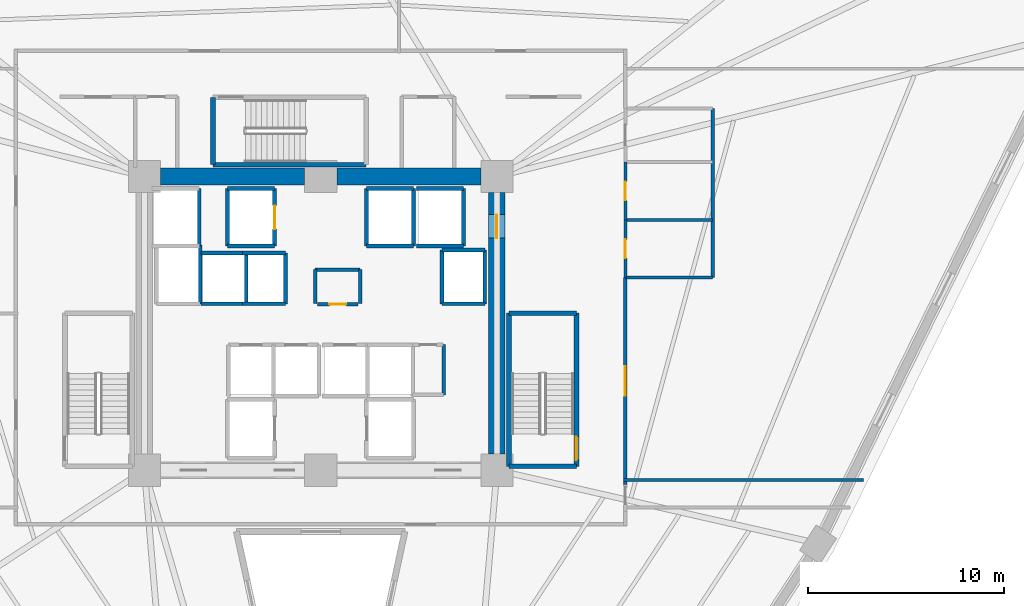
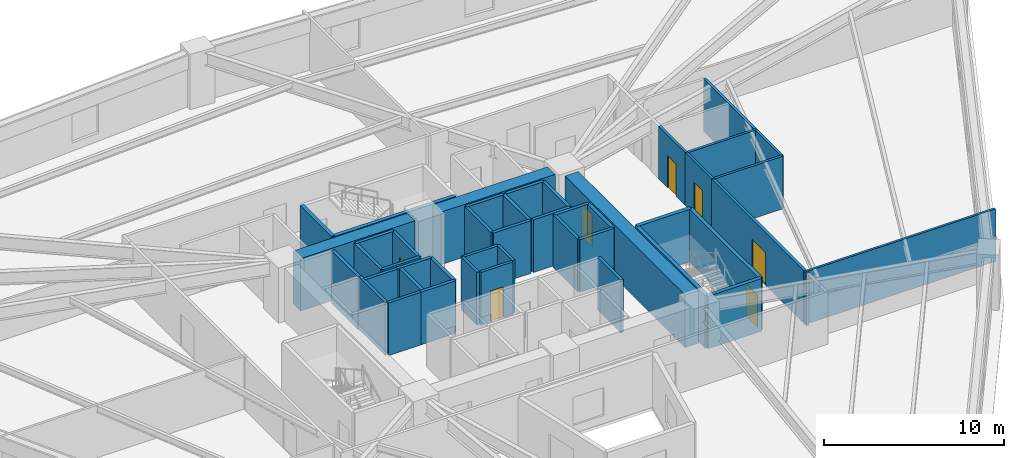
# One storey, part 5 of 8: 44 walls, 7 doors, 7 openings.
"""IFC4 building model written with IfcOpenShell, lengths in metres."""

import ifcopenshell
import ifcopenshell.guid

model = None  # the IFC model being written
_history = None  # IfcOwnerHistory: only IFC2X3 demands one
_inside = {}  # id of a spatial element -> (the spatial element, [elements in it])
_under = {}  # id of a project, library or spatial element -> (it, [spatial elements below it])
_declared = {}  # id of a project -> (the project, [libraries it declares])
_typed = {}  # id of a type object -> (the type object, [elements of that type])
_made_of = {}  # id of a material, layer set ... -> (it, [elements and type objects made of it])


def new_model(schema):
    """Start an empty IFC model of exactly this schema.

    Asked for "IFC4X3", IfcOpenShell would pick the latest addendum, in which some entities
    have other attributes; the version numbers below select the first issue.
    IFC2X3 requires an IfcOwnerHistory on every rooted entity: one is made here for all.
    """
    global model, _history
    if schema == "IFC4X3":
        model = ifcopenshell.file(schema_version=(4, 3, 0, 0))
    else:
        model = ifcopenshell.file(schema=schema)
    _inside.clear()
    _under.clear()
    _declared.clear()
    _typed.clear()
    _made_of.clear()
    _history = None
    if model.schema == "IFC2X3":
        org = make("IfcOrganization", Name="unknown")
        user = make(
            "IfcPersonAndOrganization",
            ThePerson=make("IfcPerson", FamilyName="unknown"),
            TheOrganization=org,
        )
        app = make(
            "IfcApplication",
            ApplicationDeveloper=org,
            Version="unknown",
            ApplicationFullName="unknown",
            ApplicationIdentifier="unknown",
        )
        _history = make(
            "IfcOwnerHistory",
            OwningUser=user,
            OwningApplication=app,
            ChangeAction="ADDED",
            CreationDate=0,
        )
    return model


def make(cls, **values):
    """One entity of the class cls with the attributes given. An attribute that is None is left unset."""
    return model.create_entity(
        cls, **{name: value for name, value in values.items() if value is not None}
    )


def rooted(cls, **values):
    """An entity with a GlobalId (a new one), such as an element, a storey or a relation."""
    return make(cls, GlobalId=ifcopenshell.guid.new(), OwnerHistory=_history, **values)


def si_unit(unit_type, name, prefix=None):
    """IfcSIUnit, for example si_unit("LENGTHUNIT", "METRE", prefix="MILLI")."""
    return make("IfcSIUnit", UnitType=unit_type, Prefix=prefix, Name=name)


def assignment(units):
    """IfcUnitAssignment: the units of a project."""
    return None if units is None else make("IfcUnitAssignment", Units=units)


def point(xyz):
    """IfcCartesianPoint."""
    return None if xyz is None else make("IfcCartesianPoint", Coordinates=xyz)


def direction(xyz):
    """IfcDirection."""
    return None if xyz is None else make("IfcDirection", DirectionRatios=xyz)


def frame(location, z_axis=None, x_axis=None):
    """IfcAxis2Placement3D, a coordinate frame: its origin and axes. An axis left out is left unset."""
    return make(
        "IfcAxis2Placement3D",
        Location=point(location),
        Axis=direction(z_axis),
        RefDirection=direction(x_axis),
    )


def frame_2d(location, x_axis=None):
    """IfcAxis2Placement2D, a coordinate frame in the plane: its origin and x axis."""
    return make(
        "IfcAxis2Placement2D", Location=point(location), RefDirection=direction(x_axis)
    )


def origin():
    """The frame at (0, 0, 0) with its axes left unset."""
    return frame((0.0, 0.0, 0.0))


def place(relative_to, where):
    """IfcLocalPlacement: puts the frame where relative to a parent placement (None: the world)."""
    return make(
        "IfcLocalPlacement", PlacementRelTo=relative_to, RelativePlacement=where
    )


def context(
    kind, dimensions, precision=None, world=None, true_north=None, identifier=None
):
    """IfcGeometricRepresentationContext, for example the 3D "Model" context."""
    return make(
        "IfcGeometricRepresentationContext",
        ContextIdentifier=identifier,
        ContextType=kind,
        CoordinateSpaceDimension=dimensions,
        Precision=precision,
        WorldCoordinateSystem=world,
        TrueNorth=true_north,
    )


def subcontext(parent, identifier, kind, view, scale=None):
    """IfcGeometricRepresentationSubContext, for example "Body" below "Model"."""
    return make(
        "IfcGeometricRepresentationSubContext",
        ContextIdentifier=identifier,
        ContextType=kind,
        ParentContext=parent,
        TargetScale=scale,
        TargetView=view,
    )


def project(units=None, contexts=None):
    """IfcProject with its units and contexts."""
    return rooted(
        "IfcProject",
        Name="project",
        RepresentationContexts=contexts,
        UnitsInContext=assignment(units),
    )


def spatial(cls, under=None, at=None, **own):
    """A site, building, storey or space (cls), placed at a placement, below another one or the project."""
    s = rooted(cls, ObjectPlacement=at, **own)
    if under is not None:
        _under.setdefault(under.id(), (under, []))[1].append(s)
    return s


def profile(cls, at=None, kind="AREA", **sizes):
    """A parametric profile (cls). Its sizes go by their IFC names, for example OverallWidth=200.0."""
    return make(cls, ProfileType=kind, Position=at, **sizes)


def rectangle(**sizes):
    """IfcRectangleProfileDef."""
    return profile("IfcRectangleProfileDef", **sizes)


def extrude(swept, where, along, depth):
    """IfcExtrudedAreaSolid: the profile swept, set in the frame where, extruded along a direction by depth."""
    return make(
        "IfcExtrudedAreaSolid",
        SweptArea=swept,
        Position=where,
        ExtrudedDirection=direction(along),
        Depth=depth,
    )


def shape(context_of_items, identifier, shape_type, items):
    """IfcShapeRepresentation: the items that make up one representation, for example the "Body"."""
    return make(
        "IfcShapeRepresentation",
        ContextOfItems=context_of_items,
        RepresentationIdentifier=identifier,
        RepresentationType=shape_type,
        Items=items,
    )


def source(mapping_origin, context_of_items, identifier, shape_type, items):
    """IfcRepresentationMap: a shape defined once, which mapped items show again and again."""
    return make(
        "IfcRepresentationMap",
        MappingOrigin=mapping_origin,
        MappedRepresentation=shape(context_of_items, identifier, shape_type, items),
    )


def transform(
    local_origin,
    x_axis=None,
    y_axis=None,
    z_axis=None,
    scale=None,
    scale2=None,
    scale3=None,
    uniform=True,
):
    """IfcCartesianTransformationOperator3D, or its non-uniform kind. x_axis, y_axis, z_axis: its Axis1, 2, 3."""
    if uniform:
        return make(
            "IfcCartesianTransformationOperator3D",
            Axis1=direction(x_axis),
            Axis2=direction(y_axis),
            LocalOrigin=point(local_origin),
            Scale=scale,
            Axis3=direction(z_axis),
        )
    return make(
        "IfcCartesianTransformationOperator3DnonUniform",
        Axis1=direction(x_axis),
        Axis2=direction(y_axis),
        LocalOrigin=point(local_origin),
        Scale=scale,
        Axis3=direction(z_axis),
        Scale2=scale2,
        Scale3=scale3,
    )


def mapped(mapping_source, mapping_target):
    """IfcMappedItem: shows the shape of a source again, moved by a transform."""
    return make(
        "IfcMappedItem", MappingSource=mapping_source, MappingTarget=mapping_target
    )


def material(Name=None, Category=None):
    """IfcMaterial."""
    return make("IfcMaterial", Name=Name, Category=Category)


def layer(
    of_material, thickness, ventilated=None, Name=None, Category=None, Priority=None
):
    """IfcMaterialLayer: one layer of a wall or slab, of a material (None: an air gap)."""
    return make(
        "IfcMaterialLayer",
        Material=of_material,
        LayerThickness=thickness,
        IsVentilated=ventilated,
        Name=Name,
        Category=Category,
        Priority=Priority,
    )


def layer_set(layers, Name=None):
    """IfcMaterialLayerSet."""
    return make("IfcMaterialLayerSet", MaterialLayers=layers, LayerSetName=Name)


def made_of(thing, what):
    """Note that an element or type object is made of a material, layer set ...; save() writes the relation."""
    if what is not None:
        _made_of.setdefault(what.id(), (what, []))[1].append(thing)
    return thing


def type_object(cls, material=None, **own):
    """A type object (cls), such as IfcWallType, which elements share."""
    return made_of(rooted(cls, **own), material)


def element(
    cls,
    number,
    at=None,
    inside=None,
    cuts=None,
    type_object=None,
    material=None,
    context=None,
    identifier="Body",
    shape_type=None,
    held_by="IfcProductDefinitionShape",
    body=None,
    shapes=None,
    **own,
):
    """One element of the class cls, such as IfcWall. Its Tag is "e" and its number.

    at: its placement. inside: the storey or other place that contains it. cuts: it is an
    opening in that element (IfcRelVoidsElement). A single representation is given by context,
    identifier, shape_type and body (its items); several are given by shapes. held_by: the class
    of the entity that holds the representations. save() writes the other relations.
    """
    e = rooted(cls, Tag="e%d" % number, ObjectPlacement=at, **own)
    if body is not None:
        shapes = [shape(context, identifier, shape_type, body)]
    if shapes is not None:
        e.Representation = make(held_by, Representations=shapes)
    if inside is not None:
        _inside.setdefault(inside.id(), (inside, []))[1].append(e)
    if cuts is not None:
        rooted(
            "IfcRelVoidsElement", RelatingBuildingElement=cuts, RelatedOpeningElement=e
        )
    if type_object is not None:
        _typed.setdefault(type_object.id(), (type_object, []))[1].append(e)
    return made_of(e, material)


def fill(opening, filler):
    """IfcRelFillsElement: the door or window that sits in an opening."""
    return rooted(
        "IfcRelFillsElement",
        RelatingOpeningElement=opening,
        RelatedBuildingElement=filler,
    )


def aggregate(whole, parts):
    """IfcRelAggregates: a whole, such as a stair, and the parts it consists of."""
    return rooted("IfcRelAggregates", RelatingObject=whole, RelatedObjects=parts)


def save(model, path):
    """Write the relations noted so far, then the file.

    IfcRelAggregates (storeys below a building ...), IfcRelContainedInSpatialStructure (elements
    in a storey), IfcRelDefinesByType, IfcRelAssociatesMaterial and IfcRelDeclares: one each for
    every whole, place, type object, material and project.
    """
    for whole, parts in _under.values():
        aggregate(whole, parts)
    for where, things in _inside.values():
        rooted(
            "IfcRelContainedInSpatialStructure",
            RelatedElements=things,
            RelatingStructure=where,
        )
    for kind, things in _typed.values():
        rooted("IfcRelDefinesByType", RelatedObjects=things, RelatingType=kind)
    for what, things in _made_of.values():
        rooted("IfcRelAssociatesMaterial", RelatedObjects=things, RelatingMaterial=what)
    for by, libraries in _declared.values():
        rooted("IfcRelDeclares", RelatingContext=by, RelatedDefinitions=libraries)
    model.write(path)


model = new_model("IFC4")

# Units and contexts
model_context = context("Model", 3, precision=1e-05, world=origin(), true_north=direction((0.0, 1.0)))
body_context = subcontext(model_context, "Body", "Model", "MODEL_VIEW")
ifc_project = project(units=[si_unit("LENGTHUNIT", "METRE"), si_unit("AREAUNIT", "SQUARE_METRE"), si_unit("VOLUMEUNIT", "CUBIC_METRE"), si_unit("PLANEANGLEUNIT", "RADIAN"), si_unit("MASSUNIT", "GRAM", prefix="KILO")], contexts=[model_context])

# Site, building, storey
site_placement = place(None, origin())
site = spatial("IfcSite", under=ifc_project, at=site_placement, CompositionType="ELEMENT")
building_placement = place(site_placement, origin())
building = spatial("IfcBuilding", under=site, at=building_placement, Name="Liaohun Quay Tower", CompositionType="ELEMENT")
storey_placement = place(building_placement, frame((0.0, 0.0, 70.5)))
storey = spatial("IfcBuildingStorey", under=building, at=storey_placement, Name="L18", CompositionType="ELEMENT", Elevation=70.5)

# Walls
ifc_material_1 = material(Name="Concrete C60", Category="concrete")
ifc_layer_1 = layer(ifc_material_1, 0.85009765625, Name="Concrete C60", Category="concrete")
ifc_layer_set_1 = layer_set([ifc_layer_1], Name="Concrete C60")
wall_type_1 = type_object("IfcWallType", Name="WAL-COR-Z1", PredefinedType="SHEAR", material=ifc_layer_set_1)
for number, where, z_axis, x_axis, name in (
    (1, (51.824951171875, 61.5, 0.0), (0.0, 0.0, 1.0), (1.0, 0.0, 0.0), "L18 Central Core Shear Wall N-W"),
    (2, (60.824951171875, 61.5, 0.0), (0.0, 0.0, 1.0), (1.0, 0.0, 0.0), "L18 Central Core Shear Wall N-E"),
):
    element("IfcWall", number, at=place(storey_placement, frame(where, z_axis=z_axis, x_axis=x_axis)), inside=storey, type_object=wall_type_1, Name=name, PredefinedType="SHEAR", context=body_context, shape_type="SweptSolid", body=[
        extrude(rectangle(XDim=7.35009765625, YDim=0.85009765625, at=frame_2d((3.675048828125, 0.0))), origin(), (0.0, 0.0, 1.0), 3.570068359375),
    ])

# Wall, opening, door
wall_1_placement = place(storey_placement, frame((69.0, 60.675048828125, 0.0), z_axis=(0.0, 0.0, 1.0), x_axis=(0.0, -1.0, 0.0)))
wall_1 = element("IfcWall", 3, at=wall_1_placement, inside=storey, type_object=wall_type_1, Name="L18 Central Core Shear Wall E", PredefinedType="SHEAR", context=body_context, shape_type="SweptSolid", body=[
    extrude(rectangle(XDim=13.35009765625, YDim=0.85009765625, at=frame_2d((6.675048828125, 0.0))), origin(), (0.0, 0.0, 1.0), 3.570068359375),
])
shared_shape_1 = source(origin(), body_context, "Body", "SweptSolid", [
    extrude(rectangle(XDim=1.199951171875, YDim=2.199951171875, at=frame_2d((0.60009765625, 1.10009765625))), frame((0.0, 0.43505859375, 0.0), z_axis=(0.0, -1.0, 0.0), x_axis=(1.0, 0.0, 0.0)), (0.0, 0.0, 1.0), 0.8701171875),
])
opening_1_placement = place(wall_1_placement, frame((1.125, 0.0, 0.0)))
opening_1 = element("IfcOpeningElement", 4, at=opening_1_placement, cuts=wall_1, Name="Opening SD1", PredefinedType="OPENING", context=body_context, shape_type="MappedRepresentation", body=[
    mapped(shared_shape_1, transform((0.0, 0.0, 0.0), x_axis=(1.0, 0.0, 0.0), y_axis=(0.0, 1.0, 0.0), z_axis=(0.0, 0.0, 1.0), scale=1.0)),
])
ifc_material_2 = material(Name="Galvanised steel fire door", Category="steel")
door_type_1 = type_object("IfcDoorType", Name="DOR-STR-1200", OperationType="NOTDEFINED", PredefinedType="DOOR", material=ifc_material_2)
shared_shape_2 = source(origin(), body_context, "Body", "SweptSolid", [
    extrude(rectangle(XDim=1.199951171875, YDim=2.199951171875, at=frame_2d((0.60009765625, 1.10009765625))), frame((0.0, 0.02490234375, 0.0), z_axis=(0.0, -1.0, 0.0), x_axis=(1.0, 0.0, 0.0)), (0.0, 0.0, 1.0), 0.050048828125),
])
door_1_placement = place(opening_1_placement, origin())
door_1 = element("IfcDoor", 5, at=door_1_placement, inside=storey, type_object=door_type_1, Name="L18 North-East Core Lobby Smokeproof Door", OperationType="SINGLE_SWING_LEFT", OverallHeight=2.199951171875, OverallWidth=1.199951171875, PredefinedType="DOOR", context=body_context, shape_type="MappedRepresentation", body=[
    mapped(shared_shape_2, transform((0.0, 0.0, 0.0), x_axis=(1.0, 0.0, 0.0), y_axis=(0.0, 1.0, 0.0), z_axis=(0.0, 0.0, 1.0), scale=1.0)),
])
fill(opening_1, door_1)

ifc_material_3 = material(Name="Autoclaved aerated concrete blockwork", Category="masonry")
ifc_layer_2 = layer(ifc_material_3, 0.179931640625, Name="Autoclaved aerated concrete blockwork", Category="masonry")
ifc_layer_set_2 = layer_set([ifc_layer_2], Name="Autoclaved aerated concrete blockwork")
wall_type_2 = type_object("IfcWallType", Name="WAL-PRT-COR", PredefinedType="PARTITIONING", material=ifc_layer_set_2)
wall_2_placement = place(storey_placement, frame((59.840087890625, 54.97998046875, 0.0), z_axis=(0.0, 0.0, 1.0), x_axis=(1.0, 0.0, 0.0)))
wall_2 = element("IfcWall", 6, at=wall_2_placement, inside=storey, type_object=wall_type_2, Name="L18 Interior Partition Wall 001", PredefinedType="PARTITIONING", context=body_context, shape_type="SweptSolid", body=[
    extrude(rectangle(XDim=2.059814453125, YDim=0.179931640625, at=frame_2d((1.02978515625, 0.0))), origin(), (0.0, 0.0, 1.0), 3.570068359375),
])
shared_shape_3 = source(origin(), body_context, "Body", "SweptSolid", [
    extrude(rectangle(XDim=0.85009765625, YDim=2.10009765625, at=frame_2d((0.425048828125, 1.050048828125))), frame((0.0, 0.099853515625, 0.0), z_axis=(0.0, -1.0, 0.0), x_axis=(1.0, 0.0, 0.0)), (0.0, 0.0, 1.0), 0.199951171875),
])
opening_2_placement = place(wall_2_placement, frame((0.60498046875, 0.0, 0.0)))
opening_2 = element("IfcOpeningElement", 7, at=opening_2_placement, cuts=wall_2, Name="Opening AD1", PredefinedType="OPENING", context=body_context, shape_type="MappedRepresentation", body=[
    mapped(shared_shape_3, transform((0.0, 0.0, 0.0), x_axis=(1.0, 0.0, 0.0), y_axis=(0.0, 1.0, 0.0), z_axis=(0.0, 0.0, 1.0), scale=1.0)),
])
ifc_material_4 = material(Name="Steel riser inspection fire door", Category="steel")
door_type_2 = type_object("IfcDoorType", Name="DOR-SHF-850", OperationType="NOTDEFINED", PredefinedType="DOOR", material=ifc_material_4)
shared_shape_4 = source(origin(), body_context, "Body", "SweptSolid", [
    extrude(rectangle(XDim=0.85009765625, YDim=2.10009765625, at=frame_2d((0.425048828125, 1.050048828125))), frame((0.0, 0.02490234375, 0.0), z_axis=(0.0, -1.0, 0.0), x_axis=(1.0, 0.0, 0.0)), (0.0, 0.0, 1.0), 0.050048828125),
])
door_2_placement = place(opening_2_placement, origin())
door_2 = element("IfcDoor", 8, at=door_2_placement, inside=storey, type_object=door_type_2, Name="L18 Electrical Meter Room Door", OperationType="SINGLE_SWING_LEFT", OverallHeight=2.10009765625, OverallWidth=0.85009765625, PredefinedType="DOOR", context=body_context, shape_type="MappedRepresentation", body=[
    mapped(shared_shape_4, transform((0.0, 0.0, 0.0), x_axis=(1.0, 0.0, 0.0), y_axis=(0.0, 1.0, 0.0), z_axis=(0.0, 0.0, 1.0), scale=1.0)),
])
fill(opening_2, door_2)

wall_3_placement = place(storey_placement, frame((75.56005859375, 56.340087890625, 0.0), z_axis=(0.0, 0.0, 1.0), x_axis=(0.0, -1.0, 0.0)))
wall_3 = element("IfcWall", 9, at=wall_3_placement, inside=storey, type_object=wall_type_2, Name="L18 Interior Partition Wall 010", PredefinedType="PARTITIONING", context=body_context, shape_type="SweptSolid", body=[
    extrude(rectangle(XDim=10.55517578125, YDim=0.179931640625, at=frame_2d((5.277587890625, 0.0))), origin(), (0.0, 0.0, 1.0), 3.570068359375),
])
shared_shape_5 = source(origin(), body_context, "Body", "SweptSolid", [
    extrude(rectangle(XDim=1.5, YDim=2.199951171875, at=frame_2d((0.75, 1.10009765625))), frame((0.0, 0.099853515625, 0.0), z_axis=(0.0, -1.0, 0.0), x_axis=(1.0, 0.0, 0.0)), (0.0, 0.0, 1.0), 0.199951171875),
])
opening_3_placement = place(wall_3_placement, frame((4.528076171875, 0.0, 0.0)))
opening_3 = element("IfcOpeningElement", 10, at=opening_3_placement, cuts=wall_3, Name="Opening OD2", PredefinedType="OPENING", context=body_context, shape_type="MappedRepresentation", body=[
    mapped(shared_shape_5, transform((0.0, 0.0, 0.0), x_axis=(1.0, 0.0, 0.0), y_axis=(0.0, 1.0, 0.0), z_axis=(0.0, 0.0, 1.0), scale=1.0)),
])
ifc_material_5 = material(Name="Acoustic oak veneer double door")
door_type_3 = type_object("IfcDoorType", Name="DOR-OFF-1500", OperationType="DOUBLE_DOOR_SINGLE_SWING", PredefinedType="DOOR", material=ifc_material_5)
shared_shape_6 = source(origin(), body_context, "Body", "SweptSolid", [
    extrude(rectangle(XDim=1.5, YDim=2.199951171875, at=frame_2d((0.75, 1.10009765625))), frame((0.0, 0.02490234375, 0.0), z_axis=(0.0, -1.0, 0.0), x_axis=(1.0, 0.0, 0.0)), (0.0, 0.0, 1.0), 0.050048828125),
])
door_3_placement = place(opening_3_placement, origin())
door_3 = element("IfcDoor", 11, at=door_3_placement, inside=storey, type_object=door_type_3, Name="L18 Architectural Design Studio 01 Door", OperationType="DOUBLE_DOOR_SINGLE_SWING", OverallHeight=2.199951171875, OverallWidth=1.5, PredefinedType="DOOR", context=body_context, shape_type="MappedRepresentation", body=[
    mapped(shared_shape_6, transform((0.0, 0.0, 0.0), x_axis=(1.0, 0.0, 0.0), y_axis=(0.0, 1.0, 0.0), z_axis=(0.0, 0.0, 1.0), scale=1.0)),
])
fill(opening_3, door_3)

# Walls
for number, where, z_axis, x_axis, name in (
    (12, (59.719970703125, 55.02001953125, 0.0), (0.0, 0.0, 1.0), (0.0, 1.0, 0.0), "L18 Interior Partition Wall 017"),
    (13, (62.010009765625, 55.02001953125, 0.0), (0.0, 0.0, 1.0), (0.0, 1.0, 0.0), "L18 Interior Partition Wall 018"),
):
    element("IfcWall", number, at=place(storey_placement, frame(where, z_axis=z_axis, x_axis=x_axis)), inside=storey, type_object=wall_type_2, Name=name, PredefinedType="PARTITIONING", context=body_context, shape_type="SweptSolid", body=[
        extrude(rectangle(XDim=1.72998046875, YDim=0.179931640625, at=frame_2d((0.864990234375, 0.0))), origin(), (0.0, 0.0, 1.0), 3.570068359375),
    ])
wall_4_placement = place(storey_placement, frame((59.719970703125, 56.75, 0.0), z_axis=(0.0, 0.0, 1.0), x_axis=(1.0, 0.0, 0.0)))
element("IfcWall", 14, at=wall_4_placement, inside=storey, type_object=wall_type_2, Name="L18 Interior Partition Wall 019", PredefinedType="PARTITIONING", context=body_context, shape_type="SweptSolid", body=[
    extrude(rectangle(XDim=2.2900390625, YDim=0.179931640625, at=frame_2d((1.14501953125, 0.0))), origin(), (0.0, 0.0, 1.0), 3.570068359375),
])
wall_5_placement = place(storey_placement, frame((66.280029296875, 50.35009765625, 0.0), z_axis=(0.0, 0.0, 1.0), x_axis=(0.0, 1.0, 0.0)))
element("IfcWall", 15, at=wall_5_placement, inside=storey, type_object=wall_type_2, Name="L18 Interior Partition Wall 021", PredefinedType="PARTITIONING", context=body_context, shape_type="SweptSolid", body=[
    extrude(rectangle(XDim=2.56982421875, YDim=0.179931640625, at=frame_2d((1.284912109375, 0.0))), origin(), (0.0, 0.0, 1.0), 3.570068359375),
])
ifc_material_6 = material(Name="Gypsum board on twin steel studs", Category="steel")
ifc_layer_3 = layer(ifc_material_6, 0.139892578125, Name="Gypsum board on twin steel studs", Category="steel")
ifc_layer_set_3 = layer_set([ifc_layer_3], Name="Gypsum board on twin steel studs")
wall_type_3 = type_object("IfcWallType", Name="WAL-PRT-OFF", PredefinedType="PARTITIONING", material=ifc_layer_set_3)
wall_6_placement = place(storey_placement, frame((75.4599609375, 46.0, 0.0), z_axis=(0.0, 0.0, 1.0), x_axis=(1.0, 0.0, 0.0)))
element("IfcWall", 16, at=wall_6_placement, inside=storey, type_object=wall_type_3, Name="L18 Interior Partition Wall 040", PredefinedType="PARTITIONING", context=body_context, shape_type="SweptSolid", body=[
    extrude(rectangle(XDim=12.255126953125, YDim=0.139892578125, at=frame_2d((6.12744140625, 0.0))), origin(), (0.0, 0.0, 1.0), 3.570068359375),
])

# Wall, opening, door
ifc_material_7 = material(Name="Moisture-resistant masonry blockwork", Category="masonry")
ifc_layer_4 = layer(ifc_material_7, 0.159912109375, Name="Moisture-resistant masonry blockwork", Category="masonry")
ifc_layer_set_4 = layer_set([ifc_layer_4], Name="Moisture-resistant masonry blockwork")
wall_type_4 = type_object("IfcWallType", Name="WAL-PRT-WET", PredefinedType="PARTITIONING", material=ifc_layer_set_4)
wall_7_placement = place(storey_placement, frame((75.56005859375, 56.340087890625, 0.0), z_axis=(0.0, 0.0, 1.0), x_axis=(0.0, 1.0, 0.0)))
wall_7 = element("IfcWall", 17, at=wall_7_placement, inside=storey, type_object=wall_type_4, Name="L18 Interior Partition Wall 003", PredefinedType="PARTITIONING", context=body_context, shape_type="SweptSolid", body=[
    extrude(rectangle(XDim=2.93994140625, YDim=0.159912109375, at=frame_2d((1.469970703125, 0.0))), origin(), (0.0, 0.0, 1.0), 3.570068359375),
])
shared_shape_7 = source(origin(), body_context, "Body", "SweptSolid", [
    extrude(rectangle(XDim=0.949951171875, YDim=2.14990234375, at=frame_2d((0.47509765625, 1.074951171875))), frame((0.0, 0.08984375, 0.0), z_axis=(0.0, -1.0, 0.0), x_axis=(1.0, 0.0, 0.0)), (0.0, 0.0, 1.0), 0.179931640625),
])
opening_4_placement = place(wall_7_placement, frame((0.9951171875, 0.0, 0.0)))
opening_4 = element("IfcOpeningElement", 18, at=opening_4_placement, cuts=wall_7, Name="Opening WD1", PredefinedType="OPENING", context=body_context, shape_type="MappedRepresentation", body=[
    mapped(shared_shape_7, transform((0.0, 0.0, 0.0), x_axis=(1.0, 0.0, 0.0), y_axis=(0.0, 1.0, 0.0), z_axis=(0.0, 0.0, 1.0), scale=1.0)),
])
ifc_material_8 = material(Name="Moisture-resistant laminate timber leaf", Category="wood")
door_type_4 = type_object("IfcDoorType", Name="DOR-WC-950", OperationType="NOTDEFINED", PredefinedType="DOOR", material=ifc_material_8)
shared_shape_8 = source(origin(), body_context, "Body", "SweptSolid", [
    extrude(rectangle(XDim=0.949951171875, YDim=2.14990234375, at=frame_2d((0.47509765625, 1.074951171875))), frame((0.0, 0.02490234375, 0.0), z_axis=(0.0, -1.0, 0.0), x_axis=(1.0, 0.0, 0.0)), (0.0, 0.0, 1.0), 0.050048828125),
])
door_4_placement = place(opening_4_placement, origin())
door_4 = element("IfcDoor", 19, at=door_4_placement, inside=storey, type_object=door_type_4, Name="L18 Male Restroom WC Door", OperationType="SINGLE_SWING_LEFT", OverallHeight=2.14990234375, OverallWidth=0.949951171875, PredefinedType="DOOR", context=body_context, shape_type="MappedRepresentation", body=[
    mapped(shared_shape_8, transform((0.0, 0.0, 0.0), x_axis=(1.0, 0.0, 0.0), y_axis=(0.0, 1.0, 0.0), z_axis=(0.0, 0.0, 1.0), scale=1.0)),
])
fill(opening_4, door_4)

wall_8_placement = place(storey_placement, frame((75.56005859375, 59.280029296875, 0.0), z_axis=(0.0, 0.0, 1.0), x_axis=(0.0, 1.0, 0.0)))
wall_8 = element("IfcWall", 20, at=wall_8_placement, inside=storey, type_object=wall_type_4, Name="L18 Interior Partition Wall 004", PredefinedType="PARTITIONING", context=body_context, shape_type="SweptSolid", body=[
    extrude(rectangle(XDim=2.9599609375, YDim=0.159912109375, at=frame_2d((1.47998046875, 0.0))), origin(), (0.0, 0.0, 1.0), 3.570068359375),
])
opening_5_placement = place(wall_8_placement, frame((1.0048828125, 0.0, 0.0)))
opening_5 = element("IfcOpeningElement", 21, at=opening_5_placement, cuts=wall_8, Name="Opening WD1", PredefinedType="OPENING", context=body_context, shape_type="MappedRepresentation", body=[
    mapped(shared_shape_7, transform((0.0, 0.0, 0.0), x_axis=(1.0, 0.0, 0.0), y_axis=(0.0, 1.0, 0.0), z_axis=(0.0, 0.0, 1.0), scale=1.0)),
])
door_5_placement = place(opening_5_placement, origin())
door_5 = element("IfcDoor", 22, at=door_5_placement, inside=storey, type_object=door_type_4, Name="L18 Female Restroom WC Door", OperationType="SINGLE_SWING_RIGHT", OverallHeight=2.14990234375, OverallWidth=0.949951171875, PredefinedType="DOOR", context=body_context, shape_type="MappedRepresentation", body=[
    mapped(shared_shape_8, transform((0.0, 0.0, 0.0), x_axis=(1.0, 0.0, 0.0), y_axis=(0.0, 1.0, 0.0), z_axis=(0.0, 0.0, 1.0), scale=1.0)),
])
fill(opening_5, door_5)

# Walls
wall_9_placement = place(storey_placement, frame((80.02001953125, 56.340087890625, 0.0), z_axis=(0.0, 0.0, 1.0), x_axis=(0.0, 1.0, 0.0)))
element("IfcWall", 23, at=wall_9_placement, inside=storey, type_object=wall_type_4, Name="L18 Interior Partition Wall 022", PredefinedType="PARTITIONING", context=body_context, shape_type="SweptSolid", body=[
    extrude(rectangle(XDim=8.639892578125, YDim=0.159912109375, at=frame_2d((4.31982421875, 0.0))), origin(), (0.0, 0.0, 1.0), 3.570068359375),
])
for number, where, z_axis, x_axis, name in (
    (24, (75.56005859375, 56.340087890625, 0.0), (0.0, 0.0, 1.0), (1.0, 0.0, 0.0), "L18 Interior Partition Wall 023"),
    (25, (75.56005859375, 59.280029296875, 0.0), (0.0, 0.0, 1.0), (1.0, 0.0, 0.0), "L18 Interior Partition Wall 024"),
):
    element("IfcWall", number, at=place(storey_placement, frame(where, z_axis=z_axis, x_axis=x_axis)), inside=storey, type_object=wall_type_4, Name=name, PredefinedType="PARTITIONING", context=body_context, shape_type="SweptSolid", body=[
        extrude(rectangle(XDim=4.4599609375, YDim=0.159912109375, at=frame_2d((2.22998046875, 0.0))), origin(), (0.0, 0.0, 1.0), 3.570068359375),
    ])
ifc_material_9 = material(Name="Concrete C50", Category="concrete")
ifc_layer_5 = layer(ifc_material_9, 0.239990234375, Name="Concrete C50", Category="concrete")
ifc_layer_set_5 = layer_set([ifc_layer_5], Name="Concrete C50")
wall_type_5 = type_object("IfcWallType", Name="WAL-SHF-200", PredefinedType="SOLIDWALL", material=ifc_layer_set_5)
wall_10_placement = place(storey_placement, frame((69.6201171875, 46.699951171875, 0.0), z_axis=(0.0, 0.0, 1.0), x_axis=(1.0, 0.0, 0.0)))
element("IfcWall", 26, at=wall_10_placement, inside=storey, type_object=wall_type_5, Name="L18 Stairwell ST-2 Structural Core Wall S", PredefinedType="SOLIDWALL", context=body_context, shape_type="SweptSolid", body=[
    extrude(rectangle(XDim=3.43994140625, YDim=0.239990234375, at=frame_2d((1.719970703125, 0.0))), origin(), (0.0, 0.0, 1.0), 3.570068359375),
])

# Wall, opening, door
wall_11_placement = place(storey_placement, frame((73.06005859375, 46.699951171875, 0.0), z_axis=(0.0, 0.0, 1.0), x_axis=(0.0, 1.0, 0.0)))
wall_11 = element("IfcWall", 27, at=wall_11_placement, inside=storey, type_object=wall_type_5, Name="L18 Stairwell ST-2 Structural Core Wall E", PredefinedType="SOLIDWALL", context=body_context, shape_type="SweptSolid", body=[
    extrude(rectangle(XDim=7.820068359375, YDim=0.239990234375, at=frame_2d((3.91015625, 0.0))), origin(), (0.0, 0.0, 1.0), 3.570068359375),
])
shared_shape_9 = source(origin(), body_context, "Body", "SweptSolid", [
    extrude(rectangle(XDim=1.199951171875, YDim=2.199951171875, at=frame_2d((0.60009765625, 1.10009765625))), frame((0.0, 0.1298828125, 0.0), z_axis=(0.0, -1.0, 0.0), x_axis=(1.0, 0.0, 0.0)), (0.0, 0.0, 1.0), 0.260009765625),
])
opening_6_placement = place(wall_11_placement, frame((0.320068359375, 0.0, 0.0)))
opening_6 = element("IfcOpeningElement", 28, at=opening_6_placement, cuts=wall_11, Name="Opening SD1", PredefinedType="OPENING", context=body_context, shape_type="MappedRepresentation", body=[
    mapped(shared_shape_9, transform((0.0, 0.0, 0.0), x_axis=(1.0, 0.0, 0.0), y_axis=(0.0, 1.0, 0.0), z_axis=(0.0, 0.0, 1.0), scale=1.0)),
])
door_6_placement = place(opening_6_placement, origin())
door_6 = element("IfcDoor", 29, at=door_6_placement, inside=storey, type_object=door_type_1, Name="L18 Protected Stair ST-2 Fire Door", OperationType="SINGLE_SWING_RIGHT", OverallHeight=2.199951171875, OverallWidth=1.199951171875, PredefinedType="DOOR", context=body_context, shape_type="MappedRepresentation", body=[
    mapped(shared_shape_2, transform((0.0, 0.0, 0.0), x_axis=(1.0, 0.0, 0.0), y_axis=(0.0, 1.0, 0.0), z_axis=(0.0, 0.0, 1.0), scale=1.0)),
])
fill(opening_6, door_6)

# Walls
wall_12_placement = place(storey_placement, frame((73.06005859375, 54.52001953125, 0.0), z_axis=(0.0, 0.0, 1.0), x_axis=(-1.0, 0.0, 0.0)))
element("IfcWall", 30, at=wall_12_placement, inside=storey, type_object=wall_type_5, Name="L18 Stairwell ST-2 Structural Core Wall N", PredefinedType="SOLIDWALL", context=body_context, shape_type="SweptSolid", body=[
    extrude(rectangle(XDim=3.43994140625, YDim=0.239990234375, at=frame_2d((1.719970703125, 0.0))), origin(), (0.0, 0.0, 1.0), 3.570068359375),
])
for number, where, z_axis, x_axis, name in (
    (31, (69.6201171875, 54.52001953125, 0.0), (0.0, 0.0, 1.0), (0.0, -1.0, 0.0), "L18 Stairwell ST-2 Structural Core Wall W"),
    (32, (54.5, 62.10009765625, 0.0), (0.0, 0.0, 1.0), (1.0, 0.0, 0.0), "L18 Stairwell ST-3 Structural Core Wall S"),
):
    element("IfcWall", number, at=place(storey_placement, frame(where, z_axis=z_axis, x_axis=x_axis)), inside=storey, type_object=wall_type_5, Name=name, PredefinedType="SOLIDWALL", context=body_context, shape_type="SweptSolid", body=[
        extrude(rectangle(XDim=7.820068359375, YDim=0.239990234375, at=frame_2d((3.91015625, 0.0))), origin(), (0.0, 0.0, 1.0), 3.570068359375),
    ])
wall_13_placement = place(storey_placement, frame((54.5, 65.5400390625, 0.0), z_axis=(0.0, 0.0, 1.0), x_axis=(0.0, -1.0, 0.0)))
element("IfcWall", 33, at=wall_13_placement, inside=storey, type_object=wall_type_5, Name="L18 Stairwell ST-3 Structural Core Wall W", PredefinedType="SOLIDWALL", context=body_context, shape_type="SweptSolid", body=[
    extrude(rectangle(XDim=3.43994140625, YDim=0.239990234375, at=frame_2d((1.719970703125, 0.0))), origin(), (0.0, 0.0, 1.0), 3.570068359375),
])
wall_14_placement = place(storey_placement, frame((55.25, 57.949951171875, 0.0), z_axis=(0.0, 0.0, 1.0), x_axis=(1.0, 0.0, 0.0)))
element("IfcWall", 34, at=wall_14_placement, inside=storey, type_object=wall_type_5, Name="L18 Lift FF-03 Hoistway Wall S", PredefinedType="SOLIDWALL", context=body_context, shape_type="SweptSolid", body=[
    extrude(rectangle(XDim=2.39990234375, YDim=0.199951171875, at=frame_2d((1.199951171875, 0.0))), origin(), (0.0, 0.0, 1.0), 3.570068359375),
])

# Wall, opening, door
wall_15_placement = place(storey_placement, frame((57.64990234375, 57.949951171875, 0.0), z_axis=(0.0, 0.0, 1.0), x_axis=(0.0, 1.0, 0.0)))
wall_15 = element("IfcWall", 35, at=wall_15_placement, inside=storey, type_object=wall_type_5, Name="L18 Lift FF-03 Hoistway Wall E", PredefinedType="SOLIDWALL", context=body_context, shape_type="SweptSolid", body=[
    extrude(rectangle(XDim=2.929931640625, YDim=0.199951171875, at=frame_2d((1.46484375, 0.0))), origin(), (0.0, 0.0, 1.0), 3.570068359375),
])
shared_shape_10 = source(origin(), body_context, "Body", "SweptSolid", [
    extrude(rectangle(XDim=1.199951171875, YDim=2.300048828125, at=frame_2d((0.60009765625, 1.14990234375))), frame((0.0, 0.10986328125, 0.0), z_axis=(0.0, -1.0, 0.0), x_axis=(1.0, 0.0, 0.0)), (0.0, 0.0, 1.0), 0.219970703125),
])
opening_7_placement = place(wall_15_placement, frame((0.864990234375, 0.0, 0.0)))
opening_7 = element("IfcOpeningElement", 36, at=opening_7_placement, cuts=wall_15, Name="Opening LD2", PredefinedType="OPENING", context=body_context, shape_type="MappedRepresentation", body=[
    mapped(shared_shape_10, transform((0.0, 0.0, 0.0), x_axis=(1.0, 0.0, 0.0), y_axis=(0.0, 1.0, 0.0), z_axis=(0.0, 0.0, 1.0), scale=1.0)),
])
ifc_material_10 = material(Name="Brushed stainless steel stretcher landing door", Category="steel")
door_type_5 = type_object("IfcDoorType", Name="DOR-LFT-1200", OperationType="SLIDING_TO_LEFT", PredefinedType="DOOR", material=ifc_material_10)
shared_shape_11 = source(origin(), body_context, "Body", "SweptSolid", [
    extrude(rectangle(XDim=1.199951171875, YDim=2.300048828125, at=frame_2d((0.60009765625, 1.14990234375))), frame((0.0, 0.02490234375, 0.0), z_axis=(0.0, -1.0, 0.0), x_axis=(1.0, 0.0, 0.0)), (0.0, 0.0, 1.0), 0.050048828125),
])
door_7_placement = place(opening_7_placement, origin())
door_7 = element("IfcDoor", 37, at=door_7_placement, inside=storey, type_object=door_type_5, Name="L18 Lift FF-03 Sliding Landing Door", OperationType="SLIDING_TO_LEFT", OverallHeight=2.300048828125, OverallWidth=1.199951171875, PredefinedType="DOOR", context=body_context, shape_type="MappedRepresentation", body=[
    mapped(shared_shape_11, transform((0.0, 0.0, 0.0), x_axis=(1.0, 0.0, 0.0), y_axis=(0.0, 1.0, 0.0), z_axis=(0.0, 0.0, 1.0), scale=1.0)),
])
fill(opening_7, door_7)

# Walls
wall_16_placement = place(storey_placement, frame((57.64990234375, 60.8798828125, 0.0), z_axis=(0.0, 0.0, 1.0), x_axis=(-1.0, 0.0, 0.0)))
element("IfcWall", 38, at=wall_16_placement, inside=storey, type_object=wall_type_5, Name="L18 Lift FF-03 Hoistway Wall N", PredefinedType="SOLIDWALL", context=body_context, shape_type="SweptSolid", body=[
    extrude(rectangle(XDim=2.39990234375, YDim=0.199951171875, at=frame_2d((1.199951171875, 0.0))), origin(), (0.0, 0.0, 1.0), 3.570068359375),
])
wall_17_placement = place(storey_placement, frame((55.25, 60.8798828125, 0.0), z_axis=(0.0, 0.0, 1.0), x_axis=(0.0, -1.0, 0.0)))
element("IfcWall", 39, at=wall_17_placement, inside=storey, type_object=wall_type_5, Name="L18 Lift FF-03 Hoistway Wall W", PredefinedType="SOLIDWALL", context=body_context, shape_type="SweptSolid", body=[
    extrude(rectangle(XDim=2.929931640625, YDim=0.199951171875, at=frame_2d((1.46484375, 0.0))), origin(), (0.0, 0.0, 1.0), 3.570068359375),
])
wall_18_placement = place(storey_placement, frame((62.35009765625, 57.949951171875, 0.0), z_axis=(0.0, 0.0, 1.0), x_axis=(1.0, 0.0, 0.0)))
element("IfcWall", 40, at=wall_18_placement, inside=storey, type_object=wall_type_5, Name="L18 Lift OB-01 Hoistway Wall S", PredefinedType="SOLIDWALL", context=body_context, shape_type="SweptSolid", body=[
    extrude(rectangle(XDim=2.39990234375, YDim=0.199951171875, at=frame_2d((1.199951171875, 0.0))), origin(), (0.0, 0.0, 1.0), 3.570068359375),
])
wall_19_placement = place(storey_placement, frame((64.75, 57.949951171875, 0.0), z_axis=(0.0, 0.0, 1.0), x_axis=(0.0, 1.0, 0.0)))
element("IfcWall", 41, at=wall_19_placement, inside=storey, type_object=wall_type_5, Name="L18 Lift OB-01 Hoistway Wall E", PredefinedType="SOLIDWALL", context=body_context, shape_type="SweptSolid", body=[
    extrude(rectangle(XDim=2.929931640625, YDim=0.199951171875, at=frame_2d((1.46484375, 0.0))), origin(), (0.0, 0.0, 1.0), 3.570068359375),
])
wall_20_placement = place(storey_placement, frame((64.75, 60.8798828125, 0.0), z_axis=(0.0, 0.0, 1.0), x_axis=(-1.0, 0.0, 0.0)))
element("IfcWall", 42, at=wall_20_placement, inside=storey, type_object=wall_type_5, Name="L18 Lift OB-01 Hoistway Wall N", PredefinedType="SOLIDWALL", context=body_context, shape_type="SweptSolid", body=[
    extrude(rectangle(XDim=2.39990234375, YDim=0.199951171875, at=frame_2d((1.199951171875, 0.0))), origin(), (0.0, 0.0, 1.0), 3.570068359375),
])
wall_21_placement = place(storey_placement, frame((62.35009765625, 60.8798828125, 0.0), z_axis=(0.0, 0.0, 1.0), x_axis=(0.0, -1.0, 0.0)))
element("IfcWall", 43, at=wall_21_placement, inside=storey, type_object=wall_type_5, Name="L18 Lift OB-01 Hoistway Wall W", PredefinedType="SOLIDWALL", context=body_context, shape_type="SweptSolid", body=[
    extrude(rectangle(XDim=2.929931640625, YDim=0.199951171875, at=frame_2d((1.46484375, 0.0))), origin(), (0.0, 0.0, 1.0), 3.570068359375),
])
wall_22_placement = place(storey_placement, frame((64.89990234375, 57.949951171875, 0.0), z_axis=(0.0, 0.0, 1.0), x_axis=(1.0, 0.0, 0.0)))
element("IfcWall", 44, at=wall_22_placement, inside=storey, type_object=wall_type_5, Name="L18 Lift OB-02 Hoistway Wall S", PredefinedType="SOLIDWALL", context=body_context, shape_type="SweptSolid", body=[
    extrude(rectangle(XDim=2.400146484375, YDim=0.199951171875, at=frame_2d((1.2001953125, 0.0))), origin(), (0.0, 0.0, 1.0), 3.570068359375),
])
wall_23_placement = place(storey_placement, frame((67.300048828125, 57.949951171875, 0.0), z_axis=(0.0, 0.0, 1.0), x_axis=(0.0, 1.0, 0.0)))
element("IfcWall", 45, at=wall_23_placement, inside=storey, type_object=wall_type_5, Name="L18 Lift OB-02 Hoistway Wall E", PredefinedType="SOLIDWALL", context=body_context, shape_type="SweptSolid", body=[
    extrude(rectangle(XDim=2.929931640625, YDim=0.199951171875, at=frame_2d((1.46484375, 0.0))), origin(), (0.0, 0.0, 1.0), 3.570068359375),
])
wall_24_placement = place(storey_placement, frame((67.300048828125, 60.8798828125, 0.0), z_axis=(0.0, 0.0, 1.0), x_axis=(-1.0, 0.0, 0.0)))
element("IfcWall", 46, at=wall_24_placement, inside=storey, type_object=wall_type_5, Name="L18 Lift OB-02 Hoistway Wall N", PredefinedType="SOLIDWALL", context=body_context, shape_type="SweptSolid", body=[
    extrude(rectangle(XDim=2.400146484375, YDim=0.199951171875, at=frame_2d((1.2001953125, 0.0))), origin(), (0.0, 0.0, 1.0), 3.570068359375),
])
wall_25_placement = place(storey_placement, frame((53.800048828125, 57.949951171875, 0.0), z_axis=(0.0, 0.0, 1.0), x_axis=(0.0, 1.0, 0.0)))
element("IfcWall", 47, at=wall_25_placement, inside=storey, type_object=wall_type_5, Name="L18 Lift SH-01 Hoistway Wall E", PredefinedType="SOLIDWALL", context=body_context, shape_type="SweptSolid", body=[
    extrude(rectangle(XDim=2.929931640625, YDim=0.199951171875, at=frame_2d((1.46484375, 0.0))), origin(), (0.0, 0.0, 1.0), 3.570068359375),
])
wall_26_placement = place(storey_placement, frame((53.85009765625, 55.0, 0.0), z_axis=(0.0, 0.0, 1.0), x_axis=(0.0, 1.0, 0.0)))
element("IfcWall", 48, at=wall_26_placement, inside=storey, type_object=wall_type_5, Name="L18 Lift SH-02 Hoistway Wall E", PredefinedType="SOLIDWALL", context=body_context, shape_type="SweptSolid", body=[
    extrude(rectangle(XDim=3.0, YDim=0.199951171875, at=frame_2d((1.5, 0.0))), origin(), (0.0, 0.0, 1.0), 3.570068359375),
])
wall_27_placement = place(storey_placement, frame((66.199951171875, 55.0, 0.0), z_axis=(0.0, 0.0, 1.0), x_axis=(1.0, 0.0, 0.0)))
element("IfcWall", 49, at=wall_27_placement, inside=storey, type_object=wall_type_5, Name="L18 Lift SH-03 Hoistway Wall S", PredefinedType="SOLIDWALL", context=body_context, shape_type="SweptSolid", body=[
    extrude(rectangle(XDim=2.179931640625, YDim=0.199951171875, at=frame_2d((1.08984375, 0.0))), origin(), (0.0, 0.0, 1.0), 3.570068359375),
])
wall_28_placement = place(storey_placement, frame((68.3798828125, 55.0, 0.0), z_axis=(0.0, 0.0, 1.0), x_axis=(0.0, 1.0, 0.0)))
element("IfcWall", 50, at=wall_28_placement, inside=storey, type_object=wall_type_5, Name="L18 Lift SH-03 Hoistway Wall E", PredefinedType="SOLIDWALL", context=body_context, shape_type="SweptSolid", body=[
    extrude(rectangle(XDim=2.75, YDim=0.199951171875, at=frame_2d((1.375, 0.0))), origin(), (0.0, 0.0, 1.0), 3.570068359375),
])
wall_29_placement = place(storey_placement, frame((68.3798828125, 57.75, 0.0), z_axis=(0.0, 0.0, 1.0), x_axis=(-1.0, 0.0, 0.0)))
element("IfcWall", 51, at=wall_29_placement, inside=storey, type_object=wall_type_5, Name="L18 Lift SH-03 Hoistway Wall N", PredefinedType="SOLIDWALL", context=body_context, shape_type="SweptSolid", body=[
    extrude(rectangle(XDim=2.179931640625, YDim=0.199951171875, at=frame_2d((1.08984375, 0.0))), origin(), (0.0, 0.0, 1.0), 3.570068359375),
])
wall_30_placement = place(storey_placement, frame((66.199951171875, 57.75, 0.0), z_axis=(0.0, 0.0, 1.0), x_axis=(0.0, -1.0, 0.0)))
element("IfcWall", 52, at=wall_30_placement, inside=storey, type_object=wall_type_5, Name="L18 Lift SH-03 Hoistway Wall W", PredefinedType="SOLIDWALL", context=body_context, shape_type="SweptSolid", body=[
    extrude(rectangle(XDim=2.75, YDim=0.199951171875, at=frame_2d((1.375, 0.0))), origin(), (0.0, 0.0, 1.0), 3.570068359375),
])
wall_31_placement = place(storey_placement, frame((53.89990234375, 55.0, 0.0), z_axis=(0.0, 0.0, 1.0), x_axis=(1.0, 0.0, 0.0)))
element("IfcWall", 53, at=wall_31_placement, inside=storey, type_object=wall_type_5, Name="L18 Lift PL-2B Hoistway Wall S", PredefinedType="SOLIDWALL", context=body_context, shape_type="SweptSolid", body=[
    extrude(rectangle(XDim=2.300048828125, YDim=0.199951171875, at=frame_2d((1.14990234375, 0.0))), origin(), (0.0, 0.0, 1.0), 3.570068359375),
])
wall_32_placement = place(storey_placement, frame((56.199951171875, 55.0, 0.0), z_axis=(0.0, 0.0, 1.0), x_axis=(0.0, 1.0, 0.0)))
element("IfcWall", 54, at=wall_32_placement, inside=storey, type_object=wall_type_5, Name="L18 Lift PL-2B Hoistway Wall E", PredefinedType="SOLIDWALL", context=body_context, shape_type="SweptSolid", body=[
    extrude(rectangle(XDim=2.60009765625, YDim=0.199951171875, at=frame_2d((1.300048828125, 0.0))), origin(), (0.0, 0.0, 1.0), 3.570068359375),
])
wall_33_placement = place(storey_placement, frame((56.199951171875, 57.60009765625, 0.0), z_axis=(0.0, 0.0, 1.0), x_axis=(-1.0, 0.0, 0.0)))
element("IfcWall", 55, at=wall_33_placement, inside=storey, type_object=wall_type_5, Name="L18 Lift PL-2B Hoistway Wall N", PredefinedType="SOLIDWALL", context=body_context, shape_type="SweptSolid", body=[
    extrude(rectangle(XDim=2.300048828125, YDim=0.199951171875, at=frame_2d((1.14990234375, 0.0))), origin(), (0.0, 0.0, 1.0), 3.570068359375),
])
wall_34_placement = place(storey_placement, frame((56.0, 55.0, 0.0), z_axis=(0.0, 0.0, 1.0), x_axis=(1.0, 0.0, 0.0)))
element("IfcWall", 56, at=wall_34_placement, inside=storey, type_object=wall_type_5, Name="L18 Lift PL-2C Hoistway Wall S", PredefinedType="SOLIDWALL", context=body_context, shape_type="SweptSolid", body=[
    extrude(rectangle(XDim=2.199951171875, YDim=0.199951171875, at=frame_2d((1.10009765625, 0.0))), origin(), (0.0, 0.0, 1.0), 3.570068359375),
])
wall_35_placement = place(storey_placement, frame((58.199951171875, 55.0, 0.0), z_axis=(0.0, 0.0, 1.0), x_axis=(0.0, 1.0, 0.0)))
element("IfcWall", 57, at=wall_35_placement, inside=storey, type_object=wall_type_5, Name="L18 Lift PL-2C Hoistway Wall E", PredefinedType="SOLIDWALL", context=body_context, shape_type="SweptSolid", body=[
    extrude(rectangle(XDim=2.60009765625, YDim=0.199951171875, at=frame_2d((1.300048828125, 0.0))), origin(), (0.0, 0.0, 1.0), 3.570068359375),
])
wall_36_placement = place(storey_placement, frame((58.199951171875, 57.60009765625, 0.0), z_axis=(0.0, 0.0, 1.0), x_axis=(-1.0, 0.0, 0.0)))
element("IfcWall", 58, at=wall_36_placement, inside=storey, type_object=wall_type_5, Name="L18 Lift PL-2C Hoistway Wall N", PredefinedType="SOLIDWALL", context=body_context, shape_type="SweptSolid", body=[
    extrude(rectangle(XDim=2.199951171875, YDim=0.199951171875, at=frame_2d((1.10009765625, 0.0))), origin(), (0.0, 0.0, 1.0), 3.570068359375),
])

save(model, "model.ifc")
